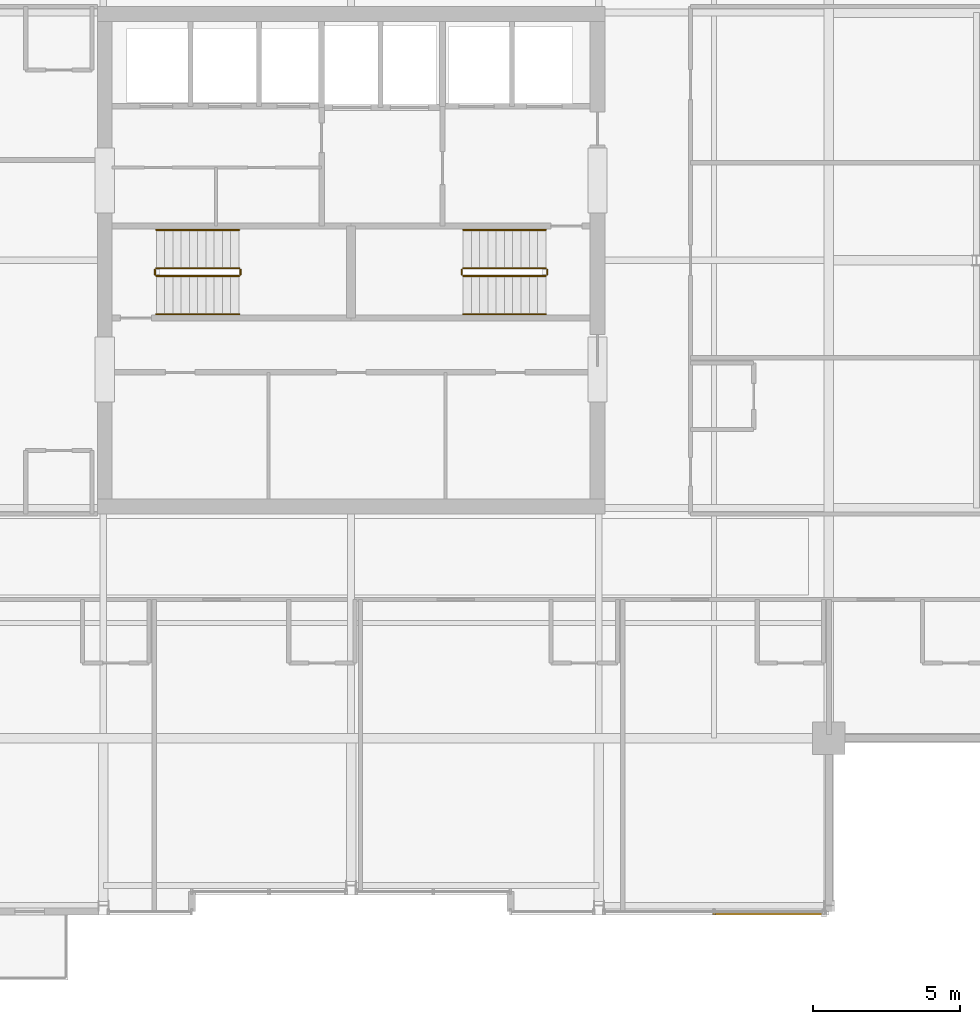
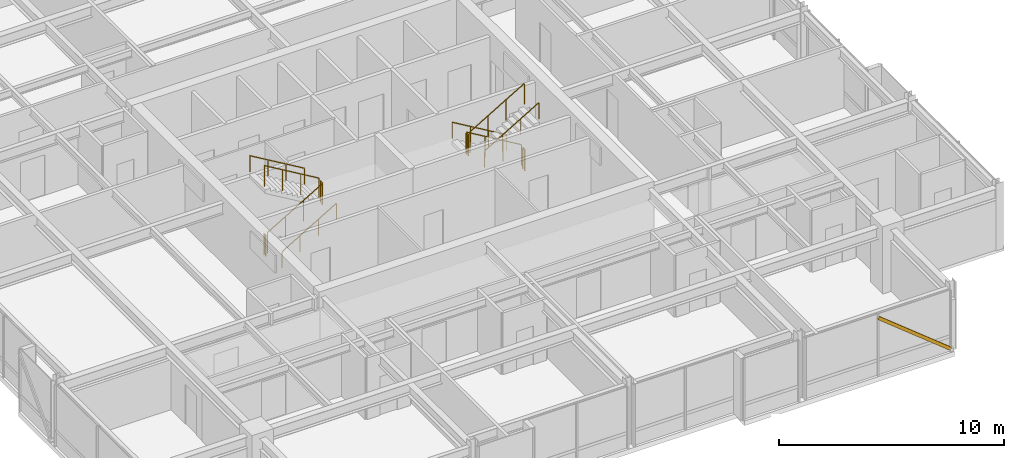
# One storey, part 33 of 34: 12 railings, 1 shading device.
"""IFC4 building model written with IfcOpenShell, lengths in metres."""

from ifc_helpers import new_model, si_unit, direction, frame, origin, origin_2d, place, context, subcontext, project, spatial, hollow_rectangle, circle, extrude, material, material_profile, profile_set, type_object, element, save


model = new_model("IFC4")

# Units and contexts
model_context = context("Model", 3, precision=1e-05, world=origin(), true_north=direction((0.0, 1.0)))
body_context = subcontext(model_context, "Body", "Model", "MODEL_VIEW")
ifc_project = project(units=[si_unit("LENGTHUNIT", "METRE"), si_unit("AREAUNIT", "SQUARE_METRE"), si_unit("VOLUMEUNIT", "CUBIC_METRE"), si_unit("PLANEANGLEUNIT", "RADIAN"), si_unit("MASSUNIT", "GRAM", prefix="KILO")], contexts=[model_context])

# Site, building, storey
site_placement = place(None, origin())
site = spatial("IfcSite", under=ifc_project, at=site_placement, CompositionType="ELEMENT")
building_placement = place(site_placement, origin())
building = spatial("IfcBuilding", under=site, at=building_placement, Name="Drelvath Grand Hotel", CompositionType="ELEMENT")
storey_placement = place(building_placement, frame((0.0, 0.0, 290.550048828125)))
storey = spatial("IfcBuildingStorey", under=building, at=storey_placement, Name="L76", CompositionType="ELEMENT", Elevation=290.550048828125)

# Railings
ifc_material_1 = material(Name="Painted Steel S275", Category="steel")
railing_type_1 = type_object("IfcRailingType", Name="Core Stair Wall Handrail 900", PredefinedType="HANDRAIL", material=ifc_material_1)
railing_1_placement = place(storey_placement, frame((-6.60009765625, 25.169921875, 0.165771484375)))
element("IfcRailing", 1, at=railing_1_placement, inside=storey, type_object=railing_type_1, Name="L76 ST-1 stair handrail 1", PredefinedType="HANDRAIL", context=body_context, shape_type="SweptSolid", body=[
    extrude(circle(Radius=0.02392578125, at=origin_2d()), frame((0.0, 0.0, 0.8759765625), z_axis=(0.860306154799, 0.0, 0.50977771628), x_axis=(0.0, 1.0, 0.0)), (0.0, 0.0, 1.0), 3.254638671875),
    extrude(circle(Radius=0.02099609375, at=origin_2d()), origin(), (0.0, 0.0, 1.0), 0.851806640625),
    extrude(circle(Radius=0.02099609375, at=origin_2d()), frame((0.933349609375, 0.0, 0.552978515625)), (0.0, 0.0, 1.0), 0.851806640625),
    extrude(circle(Radius=0.02099609375, at=origin_2d()), frame((1.86669921875, 0.0, 1.106201171875)), (0.0, 0.0, 1.0), 0.851806640625),
    extrude(circle(Radius=0.02099609375, at=origin_2d()), frame((2.800048828125, 0.0, 1.6591796875)), (0.0, 0.0, 1.0), 0.851806640625),
])
railing_2_placement = place(storey_placement, frame((-3.800048828125, 28.030029296875, 1.990966796875)))
element("IfcRailing", 2, at=railing_2_placement, inside=storey, type_object=railing_type_1, Name="L76 ST-1 stair handrail 2", PredefinedType="HANDRAIL", context=body_context, shape_type="SweptSolid", body=[
    extrude(circle(Radius=0.02392578125, at=origin_2d()), frame((0.0, 0.0, 0.8759765625), z_axis=(-0.860339051648, 0.0, 0.50972219513), x_axis=(0.0, -1.0, 0.0)), (0.0, 0.0, 1.0), 3.254638671875),
    extrude(circle(Radius=0.02099609375, at=origin_2d()), origin(), (0.0, 0.0, 1.0), 0.851806640625),
    extrude(circle(Radius=0.02099609375, at=origin_2d()), frame((-0.933349609375, 0.0, 0.552978515625)), (0.0, 0.0, 1.0), 0.851806640625),
    extrude(circle(Radius=0.02099609375, at=origin_2d()), frame((-1.86669921875, 0.0, 1.10595703125)), (0.0, 0.0, 1.0), 0.851806640625),
    extrude(circle(Radius=0.02099609375, at=origin_2d()), frame((-2.800048828125, 0.0, 1.658935546875)), (0.0, 0.0, 1.0), 0.851806640625),
])
railing_3_placement = place(storey_placement, frame((6.60009765625, 28.030029296875, 0.165771484375)))
element("IfcRailing", 3, at=railing_3_placement, inside=storey, type_object=railing_type_1, Name="L76 ST-2 stair handrail 1", PredefinedType="HANDRAIL", context=body_context, shape_type="SweptSolid", body=[
    extrude(circle(Radius=0.02392578125, at=origin_2d()), frame((0.0, 0.0, 0.8759765625), z_axis=(-0.860306154799, 0.0, 0.50977771628), x_axis=(0.0, -1.0, 0.0)), (0.0, 0.0, 1.0), 3.254638671875),
    extrude(circle(Radius=0.02099609375, at=origin_2d()), origin(), (0.0, 0.0, 1.0), 0.851806640625),
    extrude(circle(Radius=0.02099609375, at=origin_2d()), frame((-0.933349609375, 0.0, 0.552978515625)), (0.0, 0.0, 1.0), 0.851806640625),
    extrude(circle(Radius=0.02099609375, at=origin_2d()), frame((-1.86669921875, 0.0, 1.106201171875)), (0.0, 0.0, 1.0), 0.851806640625),
    extrude(circle(Radius=0.02099609375, at=origin_2d()), frame((-2.800048828125, 0.0, 1.6591796875)), (0.0, 0.0, 1.0), 0.851806640625),
])
railing_4_placement = place(storey_placement, frame((3.800048828125, 25.169921875, 1.990966796875)))
element("IfcRailing", 4, at=railing_4_placement, inside=storey, type_object=railing_type_1, Name="L76 ST-2 stair handrail 2", PredefinedType="HANDRAIL", context=body_context, shape_type="SweptSolid", body=[
    extrude(circle(Radius=0.02392578125, at=origin_2d()), frame((0.0, 0.0, 0.8759765625), z_axis=(0.860339051648, 0.0, 0.50972219513), x_axis=(0.0, 1.0, 0.0)), (0.0, 0.0, 1.0), 3.254638671875),
    extrude(circle(Radius=0.02099609375, at=origin_2d()), origin(), (0.0, 0.0, 1.0), 0.851806640625),
    extrude(circle(Radius=0.02099609375, at=origin_2d()), frame((0.933349609375, 0.0, 0.552978515625)), (0.0, 0.0, 1.0), 0.851806640625),
    extrude(circle(Radius=0.02099609375, at=origin_2d()), frame((1.86669921875, 0.0, 1.10595703125)), (0.0, 0.0, 1.0), 0.851806640625),
    extrude(circle(Radius=0.02099609375, at=origin_2d()), frame((2.800048828125, 0.0, 1.658935546875)), (0.0, 0.0, 1.0), 0.851806640625),
])
railing_type_2 = type_object("IfcRailingType", Name="Core Stair Well Guardrail 1100", PredefinedType="GUARDRAIL", material=ifc_material_1)
railing_5_placement = place(storey_placement, frame((-6.60009765625, 26.469970703125, 0.165771484375)))
element("IfcRailing", 5, at=railing_5_placement, inside=storey, type_object=railing_type_2, Name="L76 ST-1 stair guard 1", PredefinedType="GUARDRAIL", context=body_context, shape_type="SweptSolid", body=[
    extrude(circle(Radius=0.02392578125, at=origin_2d()), frame((0.0, 0.0, 1.1259765625), z_axis=(0.860306154799, 0.0, 0.50977771628), x_axis=(0.0, 1.0, 0.0)), (0.0, 0.0, 1.0), 3.254638671875),
    extrude(circle(Radius=0.02099609375, at=origin_2d()), origin(), (0.0, 0.0, 1.0), 1.101806640625),
    extrude(circle(Radius=0.02099609375, at=origin_2d()), frame((0.933349609375, 0.0, 0.552978515625)), (0.0, 0.0, 1.0), 1.101806640625),
    extrude(circle(Radius=0.02099609375, at=origin_2d()), frame((1.86669921875, 0.0, 1.106201171875)), (0.0, 0.0, 1.0), 1.101806640625),
    extrude(circle(Radius=0.02099609375, at=origin_2d()), frame((2.800048828125, 0.0, 1.6591796875)), (0.0, 0.0, 1.0), 1.101806640625),
])
railing_6_placement = place(storey_placement, frame((-3.75, 26.52001953125, 1.824951171875)))
element("IfcRailing", 6, at=railing_6_placement, inside=storey, type_object=railing_type_2, Name="L76 ST-1 stair guard 2", PredefinedType="GUARDRAIL", context=body_context, shape_type="SweptSolid", body=[
    extrude(circle(Radius=0.02392578125, at=origin_2d()), frame((0.0, 0.0, 1.1259765625), z_axis=(0.0, 1.0, 0.0), x_axis=(-1.0, 0.0, 0.0)), (0.0, 0.0, 1.0), 0.159912109375),
    extrude(circle(Radius=0.02099609375, at=origin_2d()), origin(), (0.0, 0.0, 1.0), 1.101806640625),
    extrude(circle(Radius=0.02099609375, at=origin_2d()), frame((0.0, 0.159912109375, 0.0)), (0.0, 0.0, 1.0), 1.101806640625),
])
railing_7_placement = place(storey_placement, frame((-3.800048828125, 26.72998046875, 1.990966796875)))
element("IfcRailing", 7, at=railing_7_placement, inside=storey, type_object=railing_type_2, Name="L76 ST-1 stair guard 3", PredefinedType="GUARDRAIL", context=body_context, shape_type="SweptSolid", body=[
    extrude(circle(Radius=0.02392578125, at=origin_2d()), frame((0.0, 0.0, 1.1259765625), z_axis=(-0.860339051648, 0.0, 0.50972219513), x_axis=(0.0, -1.0, 0.0)), (0.0, 0.0, 1.0), 3.254638671875),
    extrude(circle(Radius=0.02099609375, at=origin_2d()), origin(), (0.0, 0.0, 1.0), 1.101806640625),
    extrude(circle(Radius=0.02099609375, at=origin_2d()), frame((-0.933349609375, 0.0, 0.552978515625)), (0.0, 0.0, 1.0), 1.101806640625),
    extrude(circle(Radius=0.02099609375, at=origin_2d()), frame((-1.86669921875, 0.0, 1.10595703125)), (0.0, 0.0, 1.0), 1.101806640625),
    extrude(circle(Radius=0.02099609375, at=origin_2d()), frame((-2.800048828125, 0.0, 1.658935546875)), (0.0, 0.0, 1.0), 1.101806640625),
])
railing_8_placement = place(storey_placement, frame((-6.64990234375, 26.52001953125, 0.0)))
element("IfcRailing", 8, at=railing_8_placement, inside=storey, type_object=railing_type_2, Name="L76 ST-1 stair guard 4", PredefinedType="GUARDRAIL", context=body_context, shape_type="SweptSolid", body=[
    extrude(circle(Radius=0.02392578125, at=origin_2d()), frame((0.0, 0.0, 1.1259765625), z_axis=(0.0, 1.0, 0.0), x_axis=(-1.0, 0.0, 0.0)), (0.0, 0.0, 1.0), 0.159912109375),
    extrude(circle(Radius=0.02099609375, at=origin_2d()), origin(), (0.0, 0.0, 1.0), 1.101806640625),
    extrude(circle(Radius=0.02099609375, at=origin_2d()), frame((0.0, 0.159912109375, 0.0)), (0.0, 0.0, 1.0), 1.101806640625),
])
railing_9_placement = place(storey_placement, frame((6.60009765625, 26.72998046875, 0.165771484375)))
element("IfcRailing", 9, at=railing_9_placement, inside=storey, type_object=railing_type_2, Name="L76 ST-2 stair guard 1", PredefinedType="GUARDRAIL", context=body_context, shape_type="SweptSolid", body=[
    extrude(circle(Radius=0.02392578125, at=origin_2d()), frame((0.0, 0.0, 1.1259765625), z_axis=(-0.860306154799, 0.0, 0.50977771628), x_axis=(0.0, -1.0, 0.0)), (0.0, 0.0, 1.0), 3.254638671875),
    extrude(circle(Radius=0.02099609375, at=origin_2d()), origin(), (0.0, 0.0, 1.0), 1.101806640625),
    extrude(circle(Radius=0.02099609375, at=origin_2d()), frame((-0.933349609375, 0.0, 0.552978515625)), (0.0, 0.0, 1.0), 1.101806640625),
    extrude(circle(Radius=0.02099609375, at=origin_2d()), frame((-1.86669921875, 0.0, 1.106201171875)), (0.0, 0.0, 1.0), 1.101806640625),
    extrude(circle(Radius=0.02099609375, at=origin_2d()), frame((-2.800048828125, 0.0, 1.6591796875)), (0.0, 0.0, 1.0), 1.101806640625),
])
railing_10_placement = place(storey_placement, frame((3.75, 26.679931640625, 1.824951171875)))
element("IfcRailing", 10, at=railing_10_placement, inside=storey, type_object=railing_type_2, Name="L76 ST-2 stair guard 2", PredefinedType="GUARDRAIL", context=body_context, shape_type="SweptSolid", body=[
    extrude(circle(Radius=0.02392578125, at=origin_2d()), frame((0.0, 0.0, 1.1259765625), z_axis=(0.0, -1.0, 0.0), x_axis=(1.0, 0.0, 0.0)), (0.0, 0.0, 1.0), 0.159912109375),
    extrude(circle(Radius=0.02099609375, at=origin_2d()), origin(), (0.0, 0.0, 1.0), 1.101806640625),
    extrude(circle(Radius=0.02099609375, at=origin_2d()), frame((0.0, -0.159912109375, 0.0)), (0.0, 0.0, 1.0), 1.101806640625),
])
railing_11_placement = place(storey_placement, frame((3.800048828125, 26.469970703125, 1.990966796875)))
element("IfcRailing", 11, at=railing_11_placement, inside=storey, type_object=railing_type_2, Name="L76 ST-2 stair guard 3", PredefinedType="GUARDRAIL", context=body_context, shape_type="SweptSolid", body=[
    extrude(circle(Radius=0.02392578125, at=origin_2d()), frame((0.0, 0.0, 1.1259765625), z_axis=(0.860339051648, 0.0, 0.50972219513), x_axis=(0.0, 1.0, 0.0)), (0.0, 0.0, 1.0), 3.254638671875),
    extrude(circle(Radius=0.02099609375, at=origin_2d()), origin(), (0.0, 0.0, 1.0), 1.101806640625),
    extrude(circle(Radius=0.02099609375, at=origin_2d()), frame((0.933349609375, 0.0, 0.552978515625)), (0.0, 0.0, 1.0), 1.101806640625),
    extrude(circle(Radius=0.02099609375, at=origin_2d()), frame((1.86669921875, 0.0, 1.10595703125)), (0.0, 0.0, 1.0), 1.101806640625),
    extrude(circle(Radius=0.02099609375, at=origin_2d()), frame((2.800048828125, 0.0, 1.658935546875)), (0.0, 0.0, 1.0), 1.101806640625),
])
railing_12_placement = place(storey_placement, frame((6.64990234375, 26.679931640625, 0.0)))
element("IfcRailing", 12, at=railing_12_placement, inside=storey, type_object=railing_type_2, Name="L76 ST-2 stair guard 4", PredefinedType="GUARDRAIL", context=body_context, shape_type="SweptSolid", body=[
    extrude(circle(Radius=0.02392578125, at=origin_2d()), frame((0.0, 0.0, 1.1259765625), z_axis=(0.0, -1.0, 0.0), x_axis=(1.0, 0.0, 0.0)), (0.0, 0.0, 1.0), 0.159912109375),
    extrude(circle(Radius=0.02099609375, at=origin_2d()), origin(), (0.0, 0.0, 1.0), 1.101806640625),
    extrude(circle(Radius=0.02099609375, at=origin_2d()), frame((0.0, -0.159912109375, 0.0)), (0.0, 0.0, 1.0), 1.101806640625),
])

# Shading device
ifc_material_2 = material(Name="Platinum-Mist Anodised Aluminium", Category="aluminium")
ifc_material_profile = material_profile(ifc_material_2, hollow_rectangle(XDim=0.06494140625, YDim=0.159912109375, WallThickness=0.00390625, at=origin_2d()), Name="HSS160X65X4")
ifc_profile_set = profile_set([ifc_material_profile], Name="Platinum-Mist Anodised Aluminium")
shading_device_type = type_object("IfcShadingDeviceType", Name="Diagonal Solar Fin Platinum Anodised HSS160X65X4", PredefinedType="USERDEFINED", material=ifc_profile_set)
shading_device_placement = place(storey_placement, frame((16.02978515625, 4.840087890625, 0.179931640625), z_axis=(-0.780235607247, 0.0, 0.625485729001), x_axis=(0.0, -1.0, 0.0)))
element("IfcShadingDevice", 13, at=shading_device_placement, inside=storey, type_object=shading_device_type, Name="L76 Diagonal Anodised Fin CW05-L76-SE2", ObjectType="FIN", PredefinedType="USERDEFINED", context=body_context, shape_type="SweptSolid", body=[
    extrude(hollow_rectangle(XDim=0.06494140625, YDim=0.159912109375, WallThickness=0.00390625, at=origin_2d()), origin(), (0.0, 0.0, 1.0), 4.7802734375),
])

save(model, "model.ifc")
